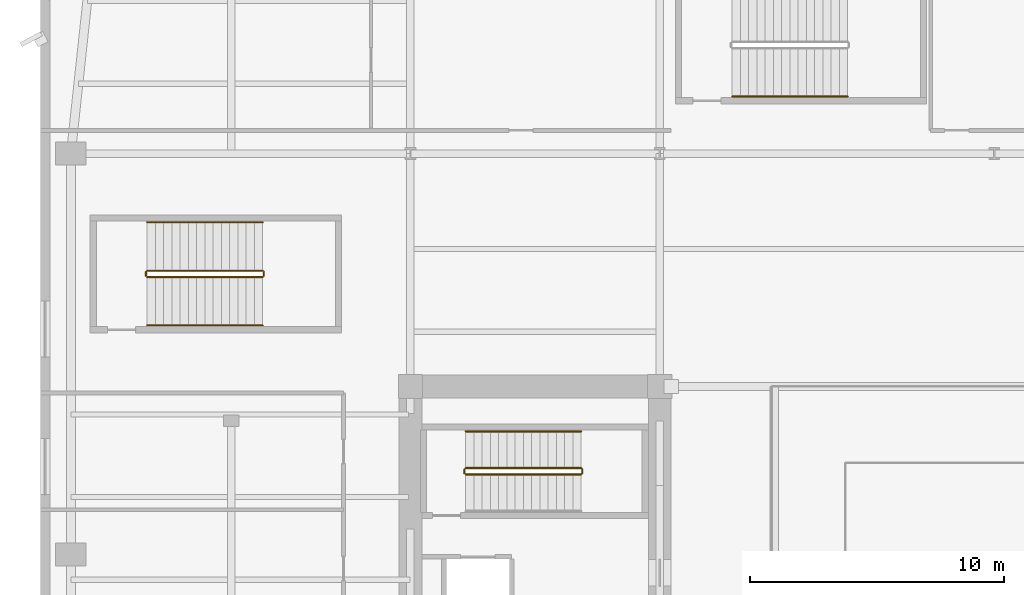
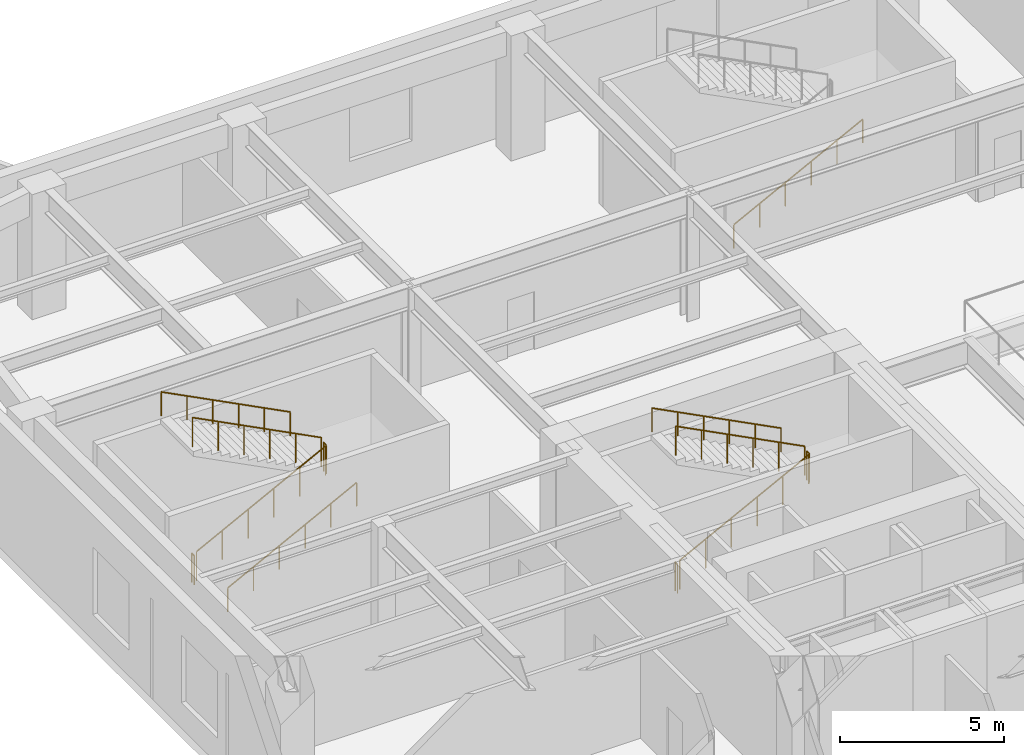
# One storey, part 19 of 24: 12 railings.
"""IFC4 building model written with IfcOpenShell, lengths in metres."""

import ifcopenshell
import ifcopenshell.guid

model = None  # the IFC model being written
_history = None  # IfcOwnerHistory: only IFC2X3 demands one
_inside = {}  # id of a spatial element -> (the spatial element, [elements in it])
_under = {}  # id of a project, library or spatial element -> (it, [spatial elements below it])
_declared = {}  # id of a project -> (the project, [libraries it declares])
_typed = {}  # id of a type object -> (the type object, [elements of that type])
_made_of = {}  # id of a material, layer set ... -> (it, [elements and type objects made of it])


def new_model(schema):
    """Start an empty IFC model of exactly this schema.

    Asked for "IFC4X3", IfcOpenShell would pick the latest addendum, in which some entities
    have other attributes; the version numbers below select the first issue.
    IFC2X3 requires an IfcOwnerHistory on every rooted entity: one is made here for all.
    """
    global model, _history
    if schema == "IFC4X3":
        model = ifcopenshell.file(schema_version=(4, 3, 0, 0))
    else:
        model = ifcopenshell.file(schema=schema)
    _inside.clear()
    _under.clear()
    _declared.clear()
    _typed.clear()
    _made_of.clear()
    _history = None
    if model.schema == "IFC2X3":
        org = make("IfcOrganization", Name="unknown")
        user = make(
            "IfcPersonAndOrganization",
            ThePerson=make("IfcPerson", FamilyName="unknown"),
            TheOrganization=org,
        )
        app = make(
            "IfcApplication",
            ApplicationDeveloper=org,
            Version="unknown",
            ApplicationFullName="unknown",
            ApplicationIdentifier="unknown",
        )
        _history = make(
            "IfcOwnerHistory",
            OwningUser=user,
            OwningApplication=app,
            ChangeAction="ADDED",
            CreationDate=0,
        )
    return model


def make(cls, **values):
    """One entity of the class cls with the attributes given. An attribute that is None is left unset."""
    return model.create_entity(
        cls, **{name: value for name, value in values.items() if value is not None}
    )


def rooted(cls, **values):
    """An entity with a GlobalId (a new one), such as an element, a storey or a relation."""
    return make(cls, GlobalId=ifcopenshell.guid.new(), OwnerHistory=_history, **values)


def si_unit(unit_type, name, prefix=None):
    """IfcSIUnit, for example si_unit("LENGTHUNIT", "METRE", prefix="MILLI")."""
    return make("IfcSIUnit", UnitType=unit_type, Prefix=prefix, Name=name)


def assignment(units):
    """IfcUnitAssignment: the units of a project."""
    return None if units is None else make("IfcUnitAssignment", Units=units)


def point(xyz):
    """IfcCartesianPoint."""
    return None if xyz is None else make("IfcCartesianPoint", Coordinates=xyz)


def direction(xyz):
    """IfcDirection."""
    return None if xyz is None else make("IfcDirection", DirectionRatios=xyz)


def frame(location, z_axis=None, x_axis=None):
    """IfcAxis2Placement3D, a coordinate frame: its origin and axes. An axis left out is left unset."""
    return make(
        "IfcAxis2Placement3D",
        Location=point(location),
        Axis=direction(z_axis),
        RefDirection=direction(x_axis),
    )


def frame_2d(location, x_axis=None):
    """IfcAxis2Placement2D, a coordinate frame in the plane: its origin and x axis."""
    return make(
        "IfcAxis2Placement2D", Location=point(location), RefDirection=direction(x_axis)
    )


def origin():
    """The frame at (0, 0, 0) with its axes left unset."""
    return frame((0.0, 0.0, 0.0))


def origin_2d():
    """The frame at (0, 0) in the plane with its x axis left unset."""
    return frame_2d((0.0, 0.0))


def place(relative_to, where):
    """IfcLocalPlacement: puts the frame where relative to a parent placement (None: the world)."""
    return make(
        "IfcLocalPlacement", PlacementRelTo=relative_to, RelativePlacement=where
    )


def context(
    kind, dimensions, precision=None, world=None, true_north=None, identifier=None
):
    """IfcGeometricRepresentationContext, for example the 3D "Model" context."""
    return make(
        "IfcGeometricRepresentationContext",
        ContextIdentifier=identifier,
        ContextType=kind,
        CoordinateSpaceDimension=dimensions,
        Precision=precision,
        WorldCoordinateSystem=world,
        TrueNorth=true_north,
    )


def subcontext(parent, identifier, kind, view, scale=None):
    """IfcGeometricRepresentationSubContext, for example "Body" below "Model"."""
    return make(
        "IfcGeometricRepresentationSubContext",
        ContextIdentifier=identifier,
        ContextType=kind,
        ParentContext=parent,
        TargetScale=scale,
        TargetView=view,
    )


def project(units=None, contexts=None):
    """IfcProject with its units and contexts."""
    return rooted(
        "IfcProject",
        Name="project",
        RepresentationContexts=contexts,
        UnitsInContext=assignment(units),
    )


def spatial(cls, under=None, at=None, **own):
    """A site, building, storey or space (cls), placed at a placement, below another one or the project."""
    s = rooted(cls, ObjectPlacement=at, **own)
    if under is not None:
        _under.setdefault(under.id(), (under, []))[1].append(s)
    return s


def profile(cls, at=None, kind="AREA", **sizes):
    """A parametric profile (cls). Its sizes go by their IFC names, for example OverallWidth=200.0."""
    return make(cls, ProfileType=kind, Position=at, **sizes)


def circle(**sizes):
    """IfcCircleProfileDef."""
    return profile("IfcCircleProfileDef", **sizes)


def extrude(swept, where, along, depth):
    """IfcExtrudedAreaSolid: the profile swept, set in the frame where, extruded along a direction by depth."""
    return make(
        "IfcExtrudedAreaSolid",
        SweptArea=swept,
        Position=where,
        ExtrudedDirection=direction(along),
        Depth=depth,
    )


def shape(context_of_items, identifier, shape_type, items):
    """IfcShapeRepresentation: the items that make up one representation, for example the "Body"."""
    return make(
        "IfcShapeRepresentation",
        ContextOfItems=context_of_items,
        RepresentationIdentifier=identifier,
        RepresentationType=shape_type,
        Items=items,
    )


def material(Name=None, Category=None):
    """IfcMaterial."""
    return make("IfcMaterial", Name=Name, Category=Category)


def made_of(thing, what):
    """Note that an element or type object is made of a material, layer set ...; save() writes the relation."""
    if what is not None:
        _made_of.setdefault(what.id(), (what, []))[1].append(thing)
    return thing


def type_object(cls, material=None, **own):
    """A type object (cls), such as IfcWallType, which elements share."""
    return made_of(rooted(cls, **own), material)


def element(
    cls,
    number,
    at=None,
    inside=None,
    cuts=None,
    type_object=None,
    material=None,
    context=None,
    identifier="Body",
    shape_type=None,
    held_by="IfcProductDefinitionShape",
    body=None,
    shapes=None,
    **own,
):
    """One element of the class cls, such as IfcWall. Its Tag is "e" and its number.

    at: its placement. inside: the storey or other place that contains it. cuts: it is an
    opening in that element (IfcRelVoidsElement). A single representation is given by context,
    identifier, shape_type and body (its items); several are given by shapes. held_by: the class
    of the entity that holds the representations. save() writes the other relations.
    """
    e = rooted(cls, Tag="e%d" % number, ObjectPlacement=at, **own)
    if body is not None:
        shapes = [shape(context, identifier, shape_type, body)]
    if shapes is not None:
        e.Representation = make(held_by, Representations=shapes)
    if inside is not None:
        _inside.setdefault(inside.id(), (inside, []))[1].append(e)
    if cuts is not None:
        rooted(
            "IfcRelVoidsElement", RelatingBuildingElement=cuts, RelatedOpeningElement=e
        )
    if type_object is not None:
        _typed.setdefault(type_object.id(), (type_object, []))[1].append(e)
    return made_of(e, material)


def aggregate(whole, parts):
    """IfcRelAggregates: a whole, such as a stair, and the parts it consists of."""
    return rooted("IfcRelAggregates", RelatingObject=whole, RelatedObjects=parts)


def save(model, path):
    """Write the relations noted so far, then the file.

    IfcRelAggregates (storeys below a building ...), IfcRelContainedInSpatialStructure (elements
    in a storey), IfcRelDefinesByType, IfcRelAssociatesMaterial and IfcRelDeclares: one each for
    every whole, place, type object, material and project.
    """
    for whole, parts in _under.values():
        aggregate(whole, parts)
    for where, things in _inside.values():
        rooted(
            "IfcRelContainedInSpatialStructure",
            RelatedElements=things,
            RelatingStructure=where,
        )
    for kind, things in _typed.values():
        rooted("IfcRelDefinesByType", RelatedObjects=things, RelatingType=kind)
    for what, things in _made_of.values():
        rooted("IfcRelAssociatesMaterial", RelatedObjects=things, RelatingMaterial=what)
    for by, libraries in _declared.values():
        rooted("IfcRelDeclares", RelatingContext=by, RelatedDefinitions=libraries)
    model.write(path)


model = new_model("IFC4")

# Units and contexts
model_context = context("Model", 3, precision=1e-05, world=origin(), true_north=direction((0.0, 1.0)))
body_context = subcontext(model_context, "Body", "Model", "MODEL_VIEW")
ifc_project = project(units=[si_unit("LENGTHUNIT", "METRE"), si_unit("AREAUNIT", "SQUARE_METRE"), si_unit("VOLUMEUNIT", "CUBIC_METRE"), si_unit("PLANEANGLEUNIT", "RADIAN"), si_unit("MASSUNIT", "GRAM", prefix="KILO")], contexts=[model_context])

# Site, building, storey
site_placement = place(None, origin())
site = spatial("IfcSite", under=ifc_project, at=site_placement, CompositionType="ELEMENT")
building_placement = place(site_placement, origin())
building = spatial("IfcBuilding", under=site, at=building_placement, Name="Kolvaren Arena Tower", CompositionType="ELEMENT")
storey_placement = place(building_placement, frame((0.0, 0.0, 8.0)))
storey = spatial("IfcBuildingStorey", under=building, at=storey_placement, Name="L01", CompositionType="ELEMENT", Elevation=8.0)

# Railings
ifc_material_1 = material(Name="Painted galvanized steel", Category="steel")
railing_type_1 = type_object("IfcRailingType", Name="GUARD-ST-110", PredefinedType="GUARDRAIL", material=ifc_material_1)
railing_1_placement = place(storey_placement, frame((16.719970703125, 30.389892578125, 0.166748046875)))
element("IfcRailing", 1, at=railing_1_placement, inside=storey, type_object=railing_type_1, Name="L01 ST-W1 stair guard 1", PredefinedType="GUARDRAIL", context=body_context, shape_type="SweptSolid", body=[
    extrude(circle(Radius=0.02392578125, at=origin_2d()), frame((0.0, 0.0, 1.076171875), z_axis=(0.889257211316, 0.0, 0.457407490234), x_axis=(0.0, 1.0, 0.0)), (0.0, 0.0, 1.0), 5.10107421875),
    extrude(circle(Radius=0.02099609375, at=origin_2d()), origin(), (0.0, 0.0, 1.0), 1.052001953125),
    extrude(circle(Radius=0.02099609375, at=origin_2d()), frame((0.9072265625, 0.0, 0.466552734375)), (0.0, 0.0, 1.0), 1.052001953125),
    extrude(circle(Radius=0.02099609375, at=origin_2d()), frame((1.814453125, 0.0, 0.933349609375)), (0.0, 0.0, 1.0), 1.052001953125),
    extrude(circle(Radius=0.02099609375, at=origin_2d()), frame((2.7216796875, 0.0, 1.39990234375)), (0.0, 0.0, 1.0), 1.052001953125),
    extrude(circle(Radius=0.02099609375, at=origin_2d()), frame((3.62890625, 0.0, 1.86669921875)), (0.0, 0.0, 1.0), 1.052001953125),
    extrude(circle(Radius=0.02099609375, at=origin_2d()), frame((4.5361328125, 0.0, 2.333251953125)), (0.0, 0.0, 1.0), 1.052001953125),
])
railing_2_placement = place(storey_placement, frame((21.305908203125, 30.43994140625, 2.5)))
element("IfcRailing", 2, at=railing_2_placement, inside=storey, type_object=railing_type_1, Name="L01 ST-W1 stair guard 2", PredefinedType="GUARDRAIL", context=body_context, shape_type="SweptSolid", body=[
    extrude(circle(Radius=0.02392578125, at=origin_2d()), frame((0.0, 0.0, 1.076171875), z_axis=(0.0, 1.0, 0.0), x_axis=(-1.0, 0.0, 0.0)), (0.0, 0.0, 1.0), 0.150146484375),
    extrude(circle(Radius=0.02099609375, at=origin_2d()), origin(), (0.0, 0.0, 1.0), 1.052001953125),
    extrude(circle(Radius=0.02099609375, at=origin_2d()), frame((0.0, 0.150146484375, 0.0)), (0.0, 0.0, 1.0), 1.052001953125),
])
railing_3_placement = place(storey_placement, frame((21.256103515625, 30.639892578125, 2.666748046875)))
element("IfcRailing", 3, at=railing_3_placement, inside=storey, type_object=railing_type_1, Name="L01 ST-W1 stair guard 3", PredefinedType="GUARDRAIL", context=body_context, shape_type="SweptSolid", body=[
    extrude(circle(Radius=0.02392578125, at=origin_2d()), frame((0.0, 0.0, 1.076171875), z_axis=(-0.889257211316, 0.0, 0.457407490234), x_axis=(0.0, -1.0, 0.0)), (0.0, 0.0, 1.0), 5.10107421875),
    extrude(circle(Radius=0.02099609375, at=origin_2d()), origin(), (0.0, 0.0, 1.0), 1.052001953125),
    extrude(circle(Radius=0.02099609375, at=origin_2d()), frame((-0.9072265625, 0.0, 0.466552734375)), (0.0, 0.0, 1.0), 1.052001953125),
    extrude(circle(Radius=0.02099609375, at=origin_2d()), frame((-1.814453125, 0.0, 0.933349609375)), (0.0, 0.0, 1.0), 1.052001953125),
    extrude(circle(Radius=0.02099609375, at=origin_2d()), frame((-2.7216796875, 0.0, 1.39990234375)), (0.0, 0.0, 1.0), 1.052001953125),
    extrude(circle(Radius=0.02099609375, at=origin_2d()), frame((-3.62890625, 0.0, 1.86669921875)), (0.0, 0.0, 1.0), 1.052001953125),
    extrude(circle(Radius=0.02099609375, at=origin_2d()), frame((-4.5361328125, 0.0, 2.333251953125)), (0.0, 0.0, 1.0), 1.052001953125),
])
railing_4_placement = place(storey_placement, frame((16.669921875, 30.43994140625, 0.0)))
element("IfcRailing", 4, at=railing_4_placement, inside=storey, type_object=railing_type_1, Name="L01 ST-W1 stair guard 4", PredefinedType="GUARDRAIL", context=body_context, shape_type="SweptSolid", body=[
    extrude(circle(Radius=0.02392578125, at=origin_2d()), frame((0.0, 0.0, 1.076171875), z_axis=(0.0, 1.0, 0.0), x_axis=(-1.0, 0.0, 0.0)), (0.0, 0.0, 1.0), 0.150146484375),
    extrude(circle(Radius=0.02099609375, at=origin_2d()), origin(), (0.0, 0.0, 1.0), 1.052001953125),
    extrude(circle(Radius=0.02099609375, at=origin_2d()), frame((0.0, 0.150146484375, 0.0)), (0.0, 0.0, 1.0), 1.052001953125),
])
railing_5_placement = place(storey_placement, frame((4.199951171875, 38.14990234375, 0.166748046875)))
element("IfcRailing", 5, at=railing_5_placement, inside=storey, type_object=railing_type_1, Name="L01 ST-A5 stair guard 1", PredefinedType="GUARDRAIL", context=body_context, shape_type="SweptSolid", body=[
    extrude(circle(Radius=0.02392578125, at=origin_2d()), frame((0.0, 0.0, 1.076171875), z_axis=(0.889257211316, 0.0, 0.457407490234), x_axis=(0.0, 1.0, 0.0)), (0.0, 0.0, 1.0), 5.10107421875),
    extrude(circle(Radius=0.02099609375, at=origin_2d()), origin(), (0.0, 0.0, 1.0), 1.052001953125),
    extrude(circle(Radius=0.02099609375, at=origin_2d()), frame((0.9072265625, 0.0, 0.466552734375)), (0.0, 0.0, 1.0), 1.052001953125),
    extrude(circle(Radius=0.02099609375, at=origin_2d()), frame((1.814453125, 0.0, 0.933349609375)), (0.0, 0.0, 1.0), 1.052001953125),
    extrude(circle(Radius=0.02099609375, at=origin_2d()), frame((2.7216796875, 0.0, 1.39990234375)), (0.0, 0.0, 1.0), 1.052001953125),
    extrude(circle(Radius=0.02099609375, at=origin_2d()), frame((3.62890625, 0.0, 1.86669921875)), (0.0, 0.0, 1.0), 1.052001953125),
    extrude(circle(Radius=0.02099609375, at=origin_2d()), frame((4.5361328125, 0.0, 2.333251953125)), (0.0, 0.0, 1.0), 1.052001953125),
])
railing_6_placement = place(storey_placement, frame((8.785888671875, 38.199951171875, 2.5)))
element("IfcRailing", 6, at=railing_6_placement, inside=storey, type_object=railing_type_1, Name="L01 ST-A5 stair guard 2", PredefinedType="GUARDRAIL", context=body_context, shape_type="SweptSolid", body=[
    extrude(circle(Radius=0.02392578125, at=origin_2d()), frame((0.0, 0.0, 1.076171875), z_axis=(0.0, 1.0, 0.0), x_axis=(-1.0, 0.0, 0.0)), (0.0, 0.0, 1.0), 0.150146484375),
    extrude(circle(Radius=0.02099609375, at=origin_2d()), origin(), (0.0, 0.0, 1.0), 1.052001953125),
    extrude(circle(Radius=0.02099609375, at=origin_2d()), frame((0.0, 0.150146484375, 0.0)), (0.0, 0.0, 1.0), 1.052001953125),
])
railing_7_placement = place(storey_placement, frame((8.736083984375, 38.39990234375, 2.666748046875)))
element("IfcRailing", 7, at=railing_7_placement, inside=storey, type_object=railing_type_1, Name="L01 ST-A5 stair guard 3", PredefinedType="GUARDRAIL", context=body_context, shape_type="SweptSolid", body=[
    extrude(circle(Radius=0.02392578125, at=origin_2d()), frame((0.0, 0.0, 1.076171875), z_axis=(-0.889257211316, 0.0, 0.457407490234), x_axis=(0.0, -1.0, 0.0)), (0.0, 0.0, 1.0), 5.10107421875),
    extrude(circle(Radius=0.02099609375, at=origin_2d()), origin(), (0.0, 0.0, 1.0), 1.052001953125),
    extrude(circle(Radius=0.02099609375, at=origin_2d()), frame((-0.9072265625, 0.0, 0.466552734375)), (0.0, 0.0, 1.0), 1.052001953125),
    extrude(circle(Radius=0.02099609375, at=origin_2d()), frame((-1.814453125, 0.0, 0.933349609375)), (0.0, 0.0, 1.0), 1.052001953125),
    extrude(circle(Radius=0.02099609375, at=origin_2d()), frame((-2.7216796875, 0.0, 1.39990234375)), (0.0, 0.0, 1.0), 1.052001953125),
    extrude(circle(Radius=0.02099609375, at=origin_2d()), frame((-3.62890625, 0.0, 1.86669921875)), (0.0, 0.0, 1.0), 1.052001953125),
    extrude(circle(Radius=0.02099609375, at=origin_2d()), frame((-4.5361328125, 0.0, 2.333251953125)), (0.0, 0.0, 1.0), 1.052001953125),
])
railing_8_placement = place(storey_placement, frame((4.14990234375, 38.199951171875, 0.0)))
element("IfcRailing", 8, at=railing_8_placement, inside=storey, type_object=railing_type_1, Name="L01 ST-A5 stair guard 4", PredefinedType="GUARDRAIL", context=body_context, shape_type="SweptSolid", body=[
    extrude(circle(Radius=0.02392578125, at=origin_2d()), frame((0.0, 0.0, 1.076171875), z_axis=(0.0, 1.0, 0.0), x_axis=(-1.0, 0.0, 0.0)), (0.0, 0.0, 1.0), 0.150146484375),
    extrude(circle(Radius=0.02099609375, at=origin_2d()), origin(), (0.0, 0.0, 1.0), 1.052001953125),
    extrude(circle(Radius=0.02099609375, at=origin_2d()), frame((0.0, 0.150146484375, 0.0)), (0.0, 0.0, 1.0), 1.052001953125),
])
ifc_material_2 = material(Name="Brushed stainless steel handrail", Category="steel")
railing_type_2 = type_object("IfcRailingType", Name="HRAIL-900", PredefinedType="HANDRAIL", material=ifc_material_2)
railing_9_placement = place(storey_placement, frame((21.256103515625, 32.080078125, 2.666748046875)))
element("IfcRailing", 9, at=railing_9_placement, inside=storey, type_object=railing_type_2, Name="L01 ST-W1 stair handrail 2", PredefinedType="HANDRAIL", context=body_context, shape_type="SweptSolid", body=[
    extrude(circle(Radius=0.02392578125, at=origin_2d()), frame((0.0, 0.0, 0.8759765625), z_axis=(-0.889257211316, 0.0, 0.457407490234), x_axis=(0.0, -1.0, 0.0)), (0.0, 0.0, 1.0), 5.10107421875),
    extrude(circle(Radius=0.02099609375, at=origin_2d()), origin(), (0.0, 0.0, 1.0), 0.851806640625),
    extrude(circle(Radius=0.02099609375, at=origin_2d()), frame((-0.9072265625, 0.0, 0.466552734375)), (0.0, 0.0, 1.0), 0.851806640625),
    extrude(circle(Radius=0.02099609375, at=origin_2d()), frame((-1.814453125, 0.0, 0.933349609375)), (0.0, 0.0, 1.0), 0.851806640625),
    extrude(circle(Radius=0.02099609375, at=origin_2d()), frame((-2.7216796875, 0.0, 1.39990234375)), (0.0, 0.0, 1.0), 0.851806640625),
    extrude(circle(Radius=0.02099609375, at=origin_2d()), frame((-3.62890625, 0.0, 1.86669921875)), (0.0, 0.0, 1.0), 0.851806640625),
    extrude(circle(Radius=0.02099609375, at=origin_2d()), frame((-4.5361328125, 0.0, 2.333251953125)), (0.0, 0.0, 1.0), 0.851806640625),
])
railing_10_placement = place(storey_placement, frame((4.199951171875, 36.25, 0.166748046875)))
element("IfcRailing", 10, at=railing_10_placement, inside=storey, type_object=railing_type_2, Name="L01 ST-A5 stair handrail 1", PredefinedType="HANDRAIL", context=body_context, shape_type="SweptSolid", body=[
    extrude(circle(Radius=0.02392578125, at=origin_2d()), frame((0.0, 0.0, 0.8759765625), z_axis=(0.889257211316, 0.0, 0.457407490234), x_axis=(0.0, 1.0, 0.0)), (0.0, 0.0, 1.0), 5.10107421875),
    extrude(circle(Radius=0.02099609375, at=origin_2d()), origin(), (0.0, 0.0, 1.0), 0.851806640625),
    extrude(circle(Radius=0.02099609375, at=origin_2d()), frame((0.9072265625, 0.0, 0.466552734375)), (0.0, 0.0, 1.0), 0.851806640625),
    extrude(circle(Radius=0.02099609375, at=origin_2d()), frame((1.814453125, 0.0, 0.933349609375)), (0.0, 0.0, 1.0), 0.851806640625),
    extrude(circle(Radius=0.02099609375, at=origin_2d()), frame((2.7216796875, 0.0, 1.39990234375)), (0.0, 0.0, 1.0), 0.851806640625),
    extrude(circle(Radius=0.02099609375, at=origin_2d()), frame((3.62890625, 0.0, 1.86669921875)), (0.0, 0.0, 1.0), 0.851806640625),
    extrude(circle(Radius=0.02099609375, at=origin_2d()), frame((4.5361328125, 0.0, 2.333251953125)), (0.0, 0.0, 1.0), 0.851806640625),
])
railing_11_placement = place(storey_placement, frame((8.736083984375, 40.300048828125, 2.666748046875)))
element("IfcRailing", 11, at=railing_11_placement, inside=storey, type_object=railing_type_2, Name="L01 ST-A5 stair handrail 2", PredefinedType="HANDRAIL", context=body_context, shape_type="SweptSolid", body=[
    extrude(circle(Radius=0.02392578125, at=origin_2d()), frame((0.0, 0.0, 0.8759765625), z_axis=(-0.889257211316, 0.0, 0.457407490234), x_axis=(0.0, -1.0, 0.0)), (0.0, 0.0, 1.0), 5.10107421875),
    extrude(circle(Radius=0.02099609375, at=origin_2d()), origin(), (0.0, 0.0, 1.0), 0.851806640625),
    extrude(circle(Radius=0.02099609375, at=origin_2d()), frame((-0.9072265625, 0.0, 0.466552734375)), (0.0, 0.0, 1.0), 0.851806640625),
    extrude(circle(Radius=0.02099609375, at=origin_2d()), frame((-1.814453125, 0.0, 0.933349609375)), (0.0, 0.0, 1.0), 0.851806640625),
    extrude(circle(Radius=0.02099609375, at=origin_2d()), frame((-2.7216796875, 0.0, 1.39990234375)), (0.0, 0.0, 1.0), 0.851806640625),
    extrude(circle(Radius=0.02099609375, at=origin_2d()), frame((-3.62890625, 0.0, 1.86669921875)), (0.0, 0.0, 1.0), 0.851806640625),
    extrude(circle(Radius=0.02099609375, at=origin_2d()), frame((-4.5361328125, 0.0, 2.333251953125)), (0.0, 0.0, 1.0), 0.851806640625),
])
railing_12_placement = place(storey_placement, frame((27.199951171875, 45.25, 0.166748046875)))
element("IfcRailing", 12, at=railing_12_placement, inside=storey, type_object=railing_type_2, Name="L01 ST-A6 stair handrail 1", PredefinedType="HANDRAIL", context=body_context, shape_type="SweptSolid", body=[
    extrude(circle(Radius=0.02392578125, at=origin_2d()), frame((0.0, 0.0, 0.8759765625), z_axis=(0.889257211316, 0.0, 0.457407490234), x_axis=(0.0, 1.0, 0.0)), (0.0, 0.0, 1.0), 5.10107421875),
    extrude(circle(Radius=0.02099609375, at=origin_2d()), origin(), (0.0, 0.0, 1.0), 0.851806640625),
    extrude(circle(Radius=0.02099609375, at=origin_2d()), frame((0.9072265625, 0.0, 0.466552734375)), (0.0, 0.0, 1.0), 0.851806640625),
    extrude(circle(Radius=0.02099609375, at=origin_2d()), frame((1.814453125, 0.0, 0.933349609375)), (0.0, 0.0, 1.0), 0.851806640625),
    extrude(circle(Radius=0.02099609375, at=origin_2d()), frame((2.7216796875, 0.0, 1.39990234375)), (0.0, 0.0, 1.0), 0.851806640625),
    extrude(circle(Radius=0.02099609375, at=origin_2d()), frame((3.62890625, 0.0, 1.86669921875)), (0.0, 0.0, 1.0), 0.851806640625),
    extrude(circle(Radius=0.02099609375, at=origin_2d()), frame((4.5361328125, 0.0, 2.333251953125)), (0.0, 0.0, 1.0), 0.851806640625),
])

save(model, "model.ifc")
